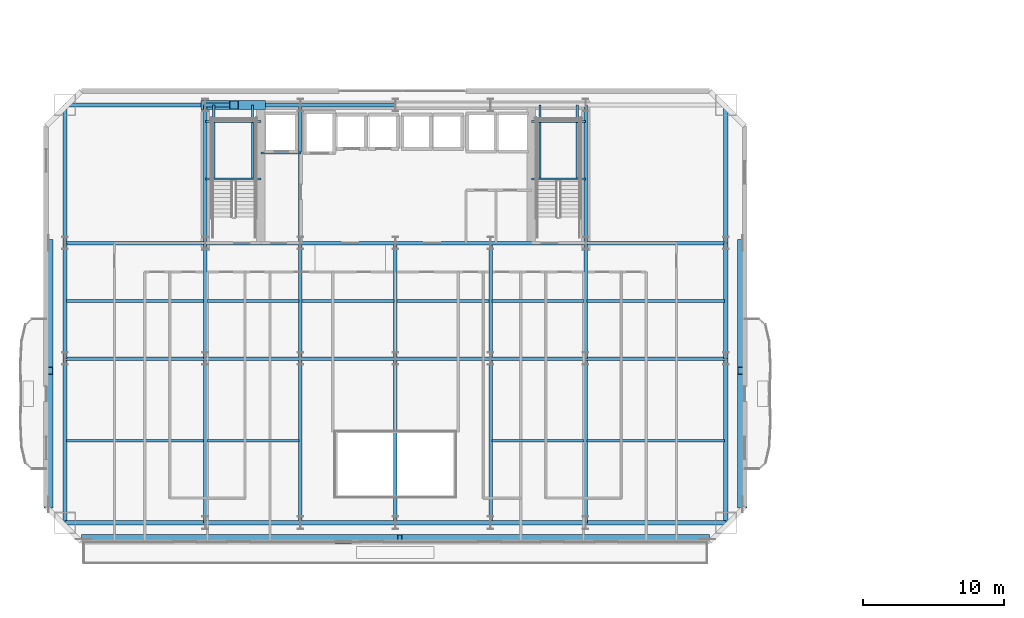
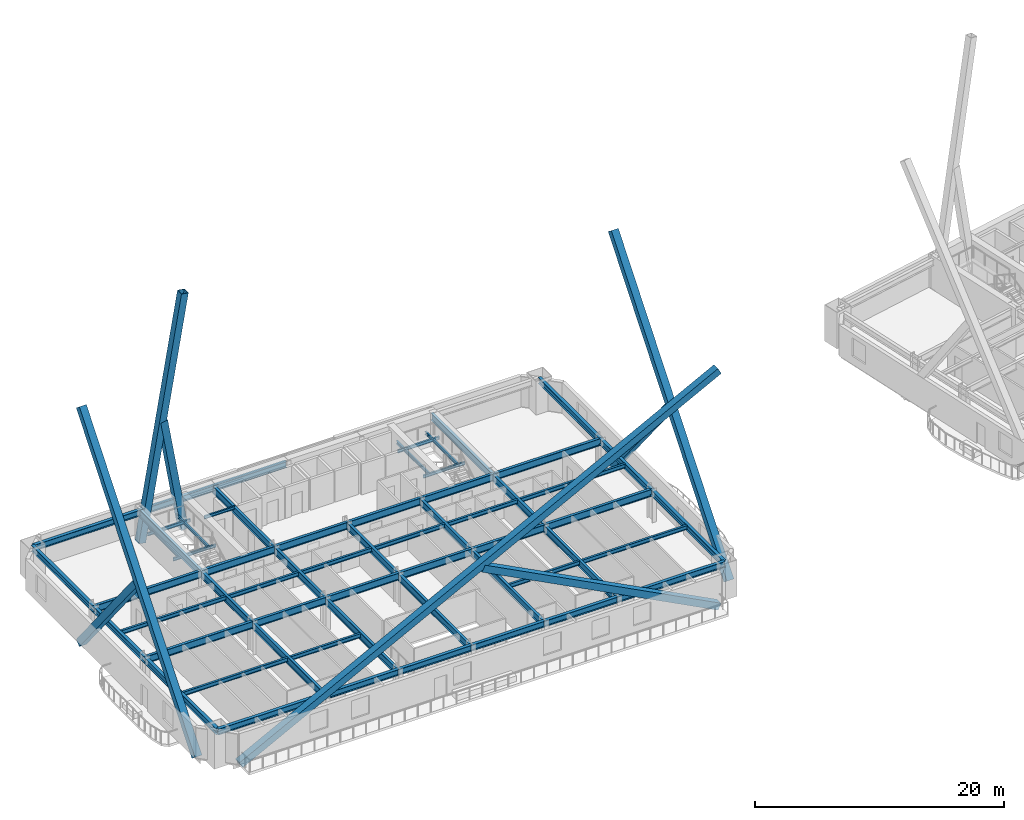
# One storey, part 3 of 22: 59 beams, 8 members.
"""IFC4 building model written with IfcOpenShell, lengths in metres."""

import ifcopenshell
import ifcopenshell.guid

model = None  # the IFC model being written
_history = None  # IfcOwnerHistory: only IFC2X3 demands one
_inside = {}  # id of a spatial element -> (the spatial element, [elements in it])
_under = {}  # id of a project, library or spatial element -> (it, [spatial elements below it])
_declared = {}  # id of a project -> (the project, [libraries it declares])
_typed = {}  # id of a type object -> (the type object, [elements of that type])
_made_of = {}  # id of a material, layer set ... -> (it, [elements and type objects made of it])


def new_model(schema):
    """Start an empty IFC model of exactly this schema.

    Asked for "IFC4X3", IfcOpenShell would pick the latest addendum, in which some entities
    have other attributes; the version numbers below select the first issue.
    IFC2X3 requires an IfcOwnerHistory on every rooted entity: one is made here for all.
    """
    global model, _history
    if schema == "IFC4X3":
        model = ifcopenshell.file(schema_version=(4, 3, 0, 0))
    else:
        model = ifcopenshell.file(schema=schema)
    _inside.clear()
    _under.clear()
    _declared.clear()
    _typed.clear()
    _made_of.clear()
    _history = None
    if model.schema == "IFC2X3":
        org = make("IfcOrganization", Name="unknown")
        user = make(
            "IfcPersonAndOrganization",
            ThePerson=make("IfcPerson", FamilyName="unknown"),
            TheOrganization=org,
        )
        app = make(
            "IfcApplication",
            ApplicationDeveloper=org,
            Version="unknown",
            ApplicationFullName="unknown",
            ApplicationIdentifier="unknown",
        )
        _history = make(
            "IfcOwnerHistory",
            OwningUser=user,
            OwningApplication=app,
            ChangeAction="ADDED",
            CreationDate=0,
        )
    return model


def make(cls, **values):
    """One entity of the class cls with the attributes given. An attribute that is None is left unset."""
    return model.create_entity(
        cls, **{name: value for name, value in values.items() if value is not None}
    )


def rooted(cls, **values):
    """An entity with a GlobalId (a new one), such as an element, a storey or a relation."""
    return make(cls, GlobalId=ifcopenshell.guid.new(), OwnerHistory=_history, **values)


def si_unit(unit_type, name, prefix=None):
    """IfcSIUnit, for example si_unit("LENGTHUNIT", "METRE", prefix="MILLI")."""
    return make("IfcSIUnit", UnitType=unit_type, Prefix=prefix, Name=name)


def assignment(units):
    """IfcUnitAssignment: the units of a project."""
    return None if units is None else make("IfcUnitAssignment", Units=units)


def point(xyz):
    """IfcCartesianPoint."""
    return None if xyz is None else make("IfcCartesianPoint", Coordinates=xyz)


def direction(xyz):
    """IfcDirection."""
    return None if xyz is None else make("IfcDirection", DirectionRatios=xyz)


def frame(location, z_axis=None, x_axis=None):
    """IfcAxis2Placement3D, a coordinate frame: its origin and axes. An axis left out is left unset."""
    return make(
        "IfcAxis2Placement3D",
        Location=point(location),
        Axis=direction(z_axis),
        RefDirection=direction(x_axis),
    )


def frame_2d(location, x_axis=None):
    """IfcAxis2Placement2D, a coordinate frame in the plane: its origin and x axis."""
    return make(
        "IfcAxis2Placement2D", Location=point(location), RefDirection=direction(x_axis)
    )


def origin():
    """The frame at (0, 0, 0) with its axes left unset."""
    return frame((0.0, 0.0, 0.0))


def origin_2d():
    """The frame at (0, 0) in the plane with its x axis left unset."""
    return frame_2d((0.0, 0.0))


def place(relative_to, where):
    """IfcLocalPlacement: puts the frame where relative to a parent placement (None: the world)."""
    return make(
        "IfcLocalPlacement", PlacementRelTo=relative_to, RelativePlacement=where
    )


def context(
    kind, dimensions, precision=None, world=None, true_north=None, identifier=None
):
    """IfcGeometricRepresentationContext, for example the 3D "Model" context."""
    return make(
        "IfcGeometricRepresentationContext",
        ContextIdentifier=identifier,
        ContextType=kind,
        CoordinateSpaceDimension=dimensions,
        Precision=precision,
        WorldCoordinateSystem=world,
        TrueNorth=true_north,
    )


def subcontext(parent, identifier, kind, view, scale=None):
    """IfcGeometricRepresentationSubContext, for example "Body" below "Model"."""
    return make(
        "IfcGeometricRepresentationSubContext",
        ContextIdentifier=identifier,
        ContextType=kind,
        ParentContext=parent,
        TargetScale=scale,
        TargetView=view,
    )


def project(units=None, contexts=None):
    """IfcProject with its units and contexts."""
    return rooted(
        "IfcProject",
        Name="project",
        RepresentationContexts=contexts,
        UnitsInContext=assignment(units),
    )


def spatial(cls, under=None, at=None, **own):
    """A site, building, storey or space (cls), placed at a placement, below another one or the project."""
    s = rooted(cls, ObjectPlacement=at, **own)
    if under is not None:
        _under.setdefault(under.id(), (under, []))[1].append(s)
    return s


def profile(cls, at=None, kind="AREA", **sizes):
    """A parametric profile (cls). Its sizes go by their IFC names, for example OverallWidth=200.0."""
    return make(cls, ProfileType=kind, Position=at, **sizes)


def hollow_rectangle(**sizes):
    """IfcRectangleHollowProfileDef."""
    return profile("IfcRectangleHollowProfileDef", **sizes)


def i_section(**sizes):
    """IfcIShapeProfileDef."""
    return profile("IfcIShapeProfileDef", **sizes)


def extrude(swept, where, along, depth):
    """IfcExtrudedAreaSolid: the profile swept, set in the frame where, extruded along a direction by depth."""
    return make(
        "IfcExtrudedAreaSolid",
        SweptArea=swept,
        Position=where,
        ExtrudedDirection=direction(along),
        Depth=depth,
    )


def shape(context_of_items, identifier, shape_type, items):
    """IfcShapeRepresentation: the items that make up one representation, for example the "Body"."""
    return make(
        "IfcShapeRepresentation",
        ContextOfItems=context_of_items,
        RepresentationIdentifier=identifier,
        RepresentationType=shape_type,
        Items=items,
    )


def material(Name=None, Category=None):
    """IfcMaterial."""
    return make("IfcMaterial", Name=Name, Category=Category)


def material_profile(
    of_material, cross_section, Name=None, Category=None, Priority=None
):
    """IfcMaterialProfile: a cross section and its material."""
    return make(
        "IfcMaterialProfile",
        Name=Name,
        Material=of_material,
        Profile=cross_section,
        Priority=Priority,
        Category=Category,
    )


def profile_set(profiles, Name=None, composite=None):
    """IfcMaterialProfileSet."""
    return make(
        "IfcMaterialProfileSet",
        Name=Name,
        MaterialProfiles=profiles,
        CompositeProfile=composite,
    )


def made_of(thing, what):
    """Note that an element or type object is made of a material, layer set ...; save() writes the relation."""
    if what is not None:
        _made_of.setdefault(what.id(), (what, []))[1].append(thing)
    return thing


def type_object(cls, material=None, **own):
    """A type object (cls), such as IfcWallType, which elements share."""
    return made_of(rooted(cls, **own), material)


def element(
    cls,
    number,
    at=None,
    inside=None,
    cuts=None,
    type_object=None,
    material=None,
    context=None,
    identifier="Body",
    shape_type=None,
    held_by="IfcProductDefinitionShape",
    body=None,
    shapes=None,
    **own,
):
    """One element of the class cls, such as IfcWall. Its Tag is "e" and its number.

    at: its placement. inside: the storey or other place that contains it. cuts: it is an
    opening in that element (IfcRelVoidsElement). A single representation is given by context,
    identifier, shape_type and body (its items); several are given by shapes. held_by: the class
    of the entity that holds the representations. save() writes the other relations.
    """
    e = rooted(cls, Tag="e%d" % number, ObjectPlacement=at, **own)
    if body is not None:
        shapes = [shape(context, identifier, shape_type, body)]
    if shapes is not None:
        e.Representation = make(held_by, Representations=shapes)
    if inside is not None:
        _inside.setdefault(inside.id(), (inside, []))[1].append(e)
    if cuts is not None:
        rooted(
            "IfcRelVoidsElement", RelatingBuildingElement=cuts, RelatedOpeningElement=e
        )
    if type_object is not None:
        _typed.setdefault(type_object.id(), (type_object, []))[1].append(e)
    return made_of(e, material)


def aggregate(whole, parts):
    """IfcRelAggregates: a whole, such as a stair, and the parts it consists of."""
    return rooted("IfcRelAggregates", RelatingObject=whole, RelatedObjects=parts)


def save(model, path):
    """Write the relations noted so far, then the file.

    IfcRelAggregates (storeys below a building ...), IfcRelContainedInSpatialStructure (elements
    in a storey), IfcRelDefinesByType, IfcRelAssociatesMaterial and IfcRelDeclares: one each for
    every whole, place, type object, material and project.
    """
    for whole, parts in _under.values():
        aggregate(whole, parts)
    for where, things in _inside.values():
        rooted(
            "IfcRelContainedInSpatialStructure",
            RelatedElements=things,
            RelatingStructure=where,
        )
    for kind, things in _typed.values():
        rooted("IfcRelDefinesByType", RelatedObjects=things, RelatingType=kind)
    for what, things in _made_of.values():
        rooted("IfcRelAssociatesMaterial", RelatedObjects=things, RelatingMaterial=what)
    for by, libraries in _declared.values():
        rooted("IfcRelDeclares", RelatingContext=by, RelatedDefinitions=libraries)
    model.write(path)


model = new_model("IFC4")

# Units and contexts
model_context = context("Model", 3, precision=1e-05, world=origin(), true_north=direction((0.0, 1.0)))
body_context = subcontext(model_context, "Body", "Model", "MODEL_VIEW")
ifc_project = project(units=[si_unit("LENGTHUNIT", "METRE"), si_unit("AREAUNIT", "SQUARE_METRE"), si_unit("VOLUMEUNIT", "CUBIC_METRE"), si_unit("PLANEANGLEUNIT", "RADIAN"), si_unit("MASSUNIT", "GRAM", prefix="KILO")], contexts=[model_context])

# Site, building, storey
site_placement = place(None, origin())
site = spatial("IfcSite", under=ifc_project, at=site_placement, CompositionType="ELEMENT")
building_placement = place(site_placement, origin())
building = spatial("IfcBuilding", under=site, at=building_placement, Name="Haevon Station Towers", CompositionType="ELEMENT")
storey_placement = place(building_placement, frame((0.0, 0.0, 70.199951171875)))
storey = spatial("IfcBuildingStorey", under=building, at=storey_placement, Name="L18", CompositionType="ELEMENT", Elevation=70.199951171875)

# Beams
ifc_material_1 = material(Name="Steel S355", Category="steel")
ifc_material_profile_1 = material_profile(ifc_material_1, i_section(OverallWidth=0.25, OverallDepth=0.699951171875, WebThickness=0.012939453125, FlangeThickness=0.02392578125, at=origin_2d()), Name="H-700x250x13x24")
ifc_profile_set_1 = profile_set([ifc_material_profile_1], Name="Steel S355")
beam_type_1 = type_object("IfcBeamType", Name="BM-G700", PredefinedType="BEAM", material=ifc_profile_set_1)
beam_1_placement = place(storey_placement, frame((14.050048828125, 30.0, 2.699951171875), z_axis=(1.0, 0.0, 0.0), x_axis=(0.0, 1.0, 0.0)))
element("IfcBeam", 1, at=beam_1_placement, inside=storey, type_object=beam_type_1, Name="BM-T1U-L18-02-01", PredefinedType="BEAM", context=body_context, shape_type="SweptSolid", body=[
    extrude(i_section(OverallWidth=0.25, OverallDepth=0.699951171875, WebThickness=0.012939453125, FlangeThickness=0.02392578125, at=origin_2d()), origin(), (0.0, 0.0, 1.0), 9.949951171875),
])
for number, where, z_axis, x_axis, name in (
    (2, (24.0, 30.0, 2.699951171875), (1.0, 0.0, 0.0), (0.0, 1.0, 0.0), "BM-T1U-L18-02-02"),
    (3, (30.75, 30.0, 2.699951171875), (1.0, 0.0, 0.0), (0.0, 1.0, 0.0), "BM-T1U-L18-02-03"),
    (4, (37.5, 30.0, 2.699951171875), (1.0, 0.0, 0.0), (0.0, 1.0, 0.0), "BM-T1U-L18-02-04"),
    (5, (44.25, 30.0, 2.699951171875), (1.0, 0.0, 0.0), (0.0, 1.0, 0.0), "BM-T1U-L18-02-05"),
):
    element("IfcBeam", number, at=place(storey_placement, frame(where, z_axis=z_axis, x_axis=x_axis)), inside=storey, type_object=beam_type_1, Name=name, PredefinedType="BEAM", context=body_context, shape_type="SweptSolid", body=[
        extrude(i_section(OverallWidth=0.25, OverallDepth=0.699951171875, WebThickness=0.012939453125, FlangeThickness=0.02392578125, at=origin_2d()), origin(), (0.0, 0.0, 1.0), 6.75),
    ])
for number, where, z_axis, x_axis, name in (
    (6, (51.0, 30.0, 2.699951171875), (1.0, 0.0, 0.0), (0.0, 1.0, 0.0), "BM-T1U-L18-02-06"),
    (7, (14.050048828125, 38.199951171875, 2.699951171875), (1.0, 0.0, 0.0), (0.0, 1.0, 0.0), "BM-T1U-L18-03-01"),
):
    element("IfcBeam", number, at=place(storey_placement, frame(where, z_axis=z_axis, x_axis=x_axis)), inside=storey, type_object=beam_type_1, Name=name, PredefinedType="BEAM", context=body_context, shape_type="SweptSolid", body=[
        extrude(i_section(OverallWidth=0.25, OverallDepth=0.699951171875, WebThickness=0.012939453125, FlangeThickness=0.02392578125, at=origin_2d()), origin(), (0.0, 0.0, 1.0), 9.949951171875),
    ])
for number, where, z_axis, x_axis, name in (
    (8, (24.0, 38.199951171875, 2.699951171875), (1.0, 0.0, 0.0), (0.0, 1.0, 0.0), "BM-T1U-L18-03-02"),
    (9, (30.75, 38.199951171875, 2.699951171875), (1.0, 0.0, 0.0), (0.0, 1.0, 0.0), "BM-T1U-L18-03-03"),
    (10, (37.5, 38.199951171875, 2.699951171875), (1.0, 0.0, 0.0), (0.0, 1.0, 0.0), "BM-T1U-L18-03-04"),
    (11, (44.25, 38.199951171875, 2.699951171875), (1.0, 0.0, 0.0), (0.0, 1.0, 0.0), "BM-T1U-L18-03-05"),
):
    element("IfcBeam", number, at=place(storey_placement, frame(where, z_axis=z_axis, x_axis=x_axis)), inside=storey, type_object=beam_type_1, Name=name, PredefinedType="BEAM", context=body_context, shape_type="SweptSolid", body=[
        extrude(i_section(OverallWidth=0.25, OverallDepth=0.699951171875, WebThickness=0.012939453125, FlangeThickness=0.02392578125, at=origin_2d()), origin(), (0.0, 0.0, 1.0), 6.75),
    ])
beam_2_placement = place(storey_placement, frame((51.0, 38.199951171875, 2.699951171875), z_axis=(1.0, 0.0, 0.0), x_axis=(0.0, 1.0, 0.0)))
element("IfcBeam", 12, at=beam_2_placement, inside=storey, type_object=beam_type_1, Name="BM-T1U-L18-03-06", PredefinedType="BEAM", context=body_context, shape_type="SweptSolid", body=[
    extrude(i_section(OverallWidth=0.25, OverallDepth=0.699951171875, WebThickness=0.012939453125, FlangeThickness=0.02392578125, at=origin_2d()), origin(), (0.0, 0.0, 1.0), 9.949951171875),
])
beam_3_placement = place(storey_placement, frame((24.0, 18.35009765625, 2.699951171875), z_axis=(0.0, 1.0, 0.0), x_axis=(-1.0, 0.0, 0.0)))
element("IfcBeam", 13, at=beam_3_placement, inside=storey, type_object=beam_type_1, Name="BM-T1V-L18-02-01", PredefinedType="BEAM", context=body_context, shape_type="SweptSolid", body=[
    extrude(i_section(OverallWidth=0.25, OverallDepth=0.699951171875, WebThickness=0.012939453125, FlangeThickness=0.02392578125, at=origin_2d()), origin(), (0.0, 0.0, 1.0), 11.64990234375),
])
beam_4_placement = place(storey_placement, frame((24.0, 30.0, 2.699951171875), z_axis=(0.0, 1.0, 0.0), x_axis=(-1.0, 0.0, 0.0)))
element("IfcBeam", 14, at=beam_4_placement, inside=storey, type_object=beam_type_1, Name="BM-T1V-L18-02-02", PredefinedType="BEAM", context=body_context, shape_type="SweptSolid", body=[
    extrude(i_section(OverallWidth=0.25, OverallDepth=0.699951171875, WebThickness=0.012939453125, FlangeThickness=0.02392578125, at=origin_2d()), origin(), (0.0, 0.0, 1.0), 8.199951171875),
])
beam_5_placement = place(storey_placement, frame((24.0, 38.199951171875, 2.699951171875), z_axis=(0.0, 1.0, 0.0), x_axis=(-1.0, 0.0, 0.0)))
element("IfcBeam", 15, at=beam_5_placement, inside=storey, type_object=beam_type_1, Name="BM-T1V-L18-02-03", PredefinedType="BEAM", context=body_context, shape_type="SweptSolid", body=[
    extrude(i_section(OverallWidth=0.25, OverallDepth=0.699951171875, WebThickness=0.012939453125, FlangeThickness=0.02392578125, at=origin_2d()), origin(), (0.0, 0.0, 1.0), 9.800048828125),
])
beam_6_placement = place(storey_placement, frame((30.75, 18.35009765625, 2.699951171875), z_axis=(0.0, 1.0, 0.0), x_axis=(-1.0, 0.0, 0.0)))
element("IfcBeam", 16, at=beam_6_placement, inside=storey, type_object=beam_type_1, Name="BM-T1V-L18-03-01", PredefinedType="BEAM", context=body_context, shape_type="SweptSolid", body=[
    extrude(i_section(OverallWidth=0.25, OverallDepth=0.699951171875, WebThickness=0.012939453125, FlangeThickness=0.02392578125, at=origin_2d()), origin(), (0.0, 0.0, 1.0), 11.64990234375),
])
beam_7_placement = place(storey_placement, frame((30.75, 30.0, 2.699951171875), z_axis=(0.0, 1.0, 0.0), x_axis=(-1.0, 0.0, 0.0)))
element("IfcBeam", 17, at=beam_7_placement, inside=storey, type_object=beam_type_1, Name="BM-T1V-L18-03-02", PredefinedType="BEAM", context=body_context, shape_type="SweptSolid", body=[
    extrude(i_section(OverallWidth=0.25, OverallDepth=0.699951171875, WebThickness=0.012939453125, FlangeThickness=0.02392578125, at=origin_2d()), origin(), (0.0, 0.0, 1.0), 8.199951171875),
])
beam_8_placement = place(storey_placement, frame((30.75, 38.199951171875, 2.699951171875), z_axis=(0.0, 1.0, 0.0), x_axis=(-1.0, 0.0, 0.0)))
element("IfcBeam", 18, at=beam_8_placement, inside=storey, type_object=beam_type_1, Name="BM-T1V-L18-03-03", PredefinedType="BEAM", context=body_context, shape_type="SweptSolid", body=[
    extrude(i_section(OverallWidth=0.25, OverallDepth=0.699951171875, WebThickness=0.012939453125, FlangeThickness=0.02392578125, at=origin_2d()), origin(), (0.0, 0.0, 1.0), 9.800048828125),
])
beam_9_placement = place(storey_placement, frame((37.5, 18.35009765625, 2.699951171875), z_axis=(0.0, 1.0, 0.0), x_axis=(-1.0, 0.0, 0.0)))
element("IfcBeam", 19, at=beam_9_placement, inside=storey, type_object=beam_type_1, Name="BM-T1V-L18-04-01", PredefinedType="BEAM", context=body_context, shape_type="SweptSolid", body=[
    extrude(i_section(OverallWidth=0.25, OverallDepth=0.699951171875, WebThickness=0.012939453125, FlangeThickness=0.02392578125, at=origin_2d()), origin(), (0.0, 0.0, 1.0), 11.64990234375),
])
beam_10_placement = place(storey_placement, frame((37.5, 30.0, 2.699951171875), z_axis=(0.0, 1.0, 0.0), x_axis=(-1.0, 0.0, 0.0)))
element("IfcBeam", 20, at=beam_10_placement, inside=storey, type_object=beam_type_1, Name="BM-T1V-L18-04-02", PredefinedType="BEAM", context=body_context, shape_type="SweptSolid", body=[
    extrude(i_section(OverallWidth=0.25, OverallDepth=0.699951171875, WebThickness=0.012939453125, FlangeThickness=0.02392578125, at=origin_2d()), origin(), (0.0, 0.0, 1.0), 8.199951171875),
])
beam_11_placement = place(storey_placement, frame((44.25, 18.35009765625, 2.699951171875), z_axis=(0.0, 1.0, 0.0), x_axis=(-1.0, 0.0, 0.0)))
element("IfcBeam", 21, at=beam_11_placement, inside=storey, type_object=beam_type_1, Name="BM-T1V-L18-05-01", PredefinedType="BEAM", context=body_context, shape_type="SweptSolid", body=[
    extrude(i_section(OverallWidth=0.25, OverallDepth=0.699951171875, WebThickness=0.012939453125, FlangeThickness=0.02392578125, at=origin_2d()), origin(), (0.0, 0.0, 1.0), 11.64990234375),
])
beam_12_placement = place(storey_placement, frame((44.25, 30.0, 2.699951171875), z_axis=(0.0, 1.0, 0.0), x_axis=(-1.0, 0.0, 0.0)))
element("IfcBeam", 22, at=beam_12_placement, inside=storey, type_object=beam_type_1, Name="BM-T1V-L18-05-02", PredefinedType="BEAM", context=body_context, shape_type="SweptSolid", body=[
    extrude(i_section(OverallWidth=0.25, OverallDepth=0.699951171875, WebThickness=0.012939453125, FlangeThickness=0.02392578125, at=origin_2d()), origin(), (0.0, 0.0, 1.0), 8.199951171875),
])
beam_13_placement = place(storey_placement, frame((51.0, 18.35009765625, 2.699951171875), z_axis=(0.0, 1.0, 0.0), x_axis=(-1.0, 0.0, 0.0)))
element("IfcBeam", 23, at=beam_13_placement, inside=storey, type_object=beam_type_1, Name="BM-T1V-L18-06-01", PredefinedType="BEAM", context=body_context, shape_type="SweptSolid", body=[
    extrude(i_section(OverallWidth=0.25, OverallDepth=0.699951171875, WebThickness=0.012939453125, FlangeThickness=0.02392578125, at=origin_2d()), origin(), (0.0, 0.0, 1.0), 11.64990234375),
])
beam_14_placement = place(storey_placement, frame((51.0, 30.0, 2.699951171875), z_axis=(0.0, 1.0, 0.0), x_axis=(-1.0, 0.0, 0.0)))
element("IfcBeam", 24, at=beam_14_placement, inside=storey, type_object=beam_type_1, Name="BM-T1V-L18-06-02", PredefinedType="BEAM", context=body_context, shape_type="SweptSolid", body=[
    extrude(i_section(OverallWidth=0.25, OverallDepth=0.699951171875, WebThickness=0.012939453125, FlangeThickness=0.02392578125, at=origin_2d()), origin(), (0.0, 0.0, 1.0), 8.199951171875),
])
beam_15_placement = place(storey_placement, frame((51.0, 38.199951171875, 2.699951171875), z_axis=(0.0, 1.0, 0.0), x_axis=(-1.0, 0.0, 0.0)))
element("IfcBeam", 25, at=beam_15_placement, inside=storey, type_object=beam_type_1, Name="BM-T1V-L18-06-03", PredefinedType="BEAM", context=body_context, shape_type="SweptSolid", body=[
    extrude(i_section(OverallWidth=0.25, OverallDepth=0.699951171875, WebThickness=0.012939453125, FlangeThickness=0.02392578125, at=origin_2d()), origin(), (0.0, 0.0, 1.0), 9.800048828125),
])
ifc_material_profile_2 = material_profile(ifc_material_1, i_section(OverallWidth=0.199951171875, OverallDepth=0.39990234375, WebThickness=0.008056640625, FlangeThickness=0.012939453125, at=origin_2d()), Name="H-400x200x8x13")
ifc_profile_set_2 = profile_set([ifc_material_profile_2], Name="Steel S355")
beam_type_2 = type_object("IfcBeamType", Name="BM-J400", PredefinedType="JOIST", material=ifc_profile_set_2)
beam_16_placement = place(storey_placement, frame((14.159912109375, 24.175048828125, 2.85009765625), z_axis=(1.0, 0.0, 0.0), x_axis=(0.0, 1.0, 0.0)))
element("IfcBeam", 26, at=beam_16_placement, inside=storey, type_object=beam_type_2, Name="BM-T1J-L18-01-01", PredefinedType="JOIST", context=body_context, shape_type="SweptSolid", body=[
    extrude(i_section(OverallWidth=0.199951171875, OverallDepth=0.39990234375, WebThickness=0.008056640625, FlangeThickness=0.012939453125, at=origin_2d()), origin(), (0.0, 0.0, 1.0), 9.72998046875),
])
for number, where, z_axis, x_axis, name in (
    (27, (24.110107421875, 24.175048828125, 2.85009765625), (1.0, 0.0, 0.0), (0.0, 1.0, 0.0), "BM-T1J-L18-01-02"),
    (28, (44.360107421875, 24.175048828125, 2.85009765625), (1.0, 0.0, 0.0), (0.0, 1.0, 0.0), "BM-T1J-L18-01-05"),
):
    element("IfcBeam", number, at=place(storey_placement, frame(where, z_axis=z_axis, x_axis=x_axis)), inside=storey, type_object=beam_type_2, Name=name, PredefinedType="JOIST", context=body_context, shape_type="SweptSolid", body=[
        extrude(i_section(OverallWidth=0.199951171875, OverallDepth=0.39990234375, WebThickness=0.008056640625, FlangeThickness=0.012939453125, at=origin_2d()), origin(), (0.0, 0.0, 1.0), 6.52978515625),
    ])
for number, where, z_axis, x_axis, name in (
    (29, (51.110107421875, 24.175048828125, 2.85009765625), (1.0, 0.0, 0.0), (0.0, 1.0, 0.0), "BM-T1J-L18-01-06"),
    (30, (14.159912109375, 34.10009765625, 2.85009765625), (1.0, 0.0, 0.0), (0.0, 1.0, 0.0), "BM-T1J-L18-02-01"),
):
    element("IfcBeam", number, at=place(storey_placement, frame(where, z_axis=z_axis, x_axis=x_axis)), inside=storey, type_object=beam_type_2, Name=name, PredefinedType="JOIST", context=body_context, shape_type="SweptSolid", body=[
        extrude(i_section(OverallWidth=0.199951171875, OverallDepth=0.39990234375, WebThickness=0.008056640625, FlangeThickness=0.012939453125, at=origin_2d()), origin(), (0.0, 0.0, 1.0), 9.72998046875),
    ])
for number, where, z_axis, x_axis, name in (
    (31, (24.110107421875, 34.10009765625, 2.85009765625), (1.0, 0.0, 0.0), (0.0, 1.0, 0.0), "BM-T1J-L18-02-02"),
    (32, (30.860107421875, 34.10009765625, 2.85009765625), (1.0, 0.0, 0.0), (0.0, 1.0, 0.0), "BM-T1J-L18-02-03"),
    (33, (37.610107421875, 34.10009765625, 2.85009765625), (1.0, 0.0, 0.0), (0.0, 1.0, 0.0), "BM-T1J-L18-02-04"),
    (34, (44.360107421875, 34.10009765625, 2.85009765625), (1.0, 0.0, 0.0), (0.0, 1.0, 0.0), "BM-T1J-L18-02-05"),
):
    element("IfcBeam", number, at=place(storey_placement, frame(where, z_axis=z_axis, x_axis=x_axis)), inside=storey, type_object=beam_type_2, Name=name, PredefinedType="JOIST", context=body_context, shape_type="SweptSolid", body=[
        extrude(i_section(OverallWidth=0.199951171875, OverallDepth=0.39990234375, WebThickness=0.008056640625, FlangeThickness=0.012939453125, at=origin_2d()), origin(), (0.0, 0.0, 1.0), 6.52978515625),
    ])
beam_17_placement = place(storey_placement, frame((51.110107421875, 34.10009765625, 2.85009765625), z_axis=(1.0, 0.0, 0.0), x_axis=(0.0, 1.0, 0.0)))
element("IfcBeam", 35, at=beam_17_placement, inside=storey, type_object=beam_type_2, Name="BM-T1J-L18-02-06", PredefinedType="JOIST", context=body_context, shape_type="SweptSolid", body=[
    extrude(i_section(OverallWidth=0.199951171875, OverallDepth=0.39990234375, WebThickness=0.008056640625, FlangeThickness=0.012939453125, at=origin_2d()), origin(), (0.0, 0.0, 1.0), 9.72998046875),
])
ifc_material_profile_3 = material_profile(ifc_material_1, i_section(OverallWidth=0.14990234375, OverallDepth=0.300048828125, WebThickness=0.006591796875, FlangeThickness=0.009033203125, at=origin_2d()), Name="H-300x150x6.5x9")
ifc_profile_set_3 = profile_set([ifc_material_profile_3], Name="Steel S355")
beam_type_3 = type_object("IfcBeamType", Name="BM-LIN300", PredefinedType="LINTEL", material=ifc_profile_set_3)
for number, where, z_axis, x_axis, name in (
    (36, (24.0, 42.743896484375, 1.300048828125), (1.0, 0.0, 0.0), (0.0, 1.0, 0.0), "BM-ST1L-L18-1-S"),
    (37, (24.0, 46.820068359375, 1.300048828125), (1.0, 0.0, 0.0), (0.0, 1.0, 0.0), "BM-ST1L-L18-1-N"),
):
    element("IfcBeam", number, at=place(storey_placement, frame(where, z_axis=z_axis, x_axis=x_axis)), inside=storey, type_object=beam_type_3, Name=name, PredefinedType="LINTEL", context=body_context, shape_type="SweptSolid", body=[
        extrude(i_section(OverallWidth=0.14990234375, OverallDepth=0.300048828125, WebThickness=0.006591796875, FlangeThickness=0.009033203125, at=origin_2d()), origin(), (0.0, 0.0, 1.0), 3.949951171875),
    ])
for number, where, z_axis, x_axis, name in (
    (38, (24.60009765625, 42.743896484375, 1.300048828125), (0.0, 1.0, 0.0), (-1.0, 0.0, 0.0), "BM-ST1L-L18-1-W"),
    (39, (27.35009765625, 42.743896484375, 1.300048828125), (0.0, 1.0, 0.0), (-1.0, 0.0, 0.0), "BM-ST1L-L18-1-E"),
):
    element("IfcBeam", number, at=place(storey_placement, frame(where, z_axis=z_axis, x_axis=x_axis)), inside=storey, type_object=beam_type_3, Name=name, PredefinedType="LINTEL", context=body_context, shape_type="SweptSolid", body=[
        extrude(i_section(OverallWidth=0.14990234375, OverallDepth=0.300048828125, WebThickness=0.006591796875, FlangeThickness=0.009033203125, at=origin_2d()), origin(), (0.0, 0.0, 1.0), 5.256103515625),
    ])
for number, where, z_axis, x_axis, name in (
    (40, (47.14990234375, 42.743896484375, 1.300048828125), (1.0, 0.0, 0.0), (0.0, 1.0, 0.0), "BM-ST2L-L18-1-S"),
    (41, (47.14990234375, 46.820068359375, 1.300048828125), (1.0, 0.0, 0.0), (0.0, 1.0, 0.0), "BM-ST2L-L18-1-N"),
):
    element("IfcBeam", number, at=place(storey_placement, frame(where, z_axis=z_axis, x_axis=x_axis)), inside=storey, type_object=beam_type_3, Name=name, PredefinedType="LINTEL", context=body_context, shape_type="SweptSolid", body=[
        extrude(i_section(OverallWidth=0.14990234375, OverallDepth=0.300048828125, WebThickness=0.006591796875, FlangeThickness=0.009033203125, at=origin_2d()), origin(), (0.0, 0.0, 1.0), 3.85009765625),
    ])
for number, where, z_axis, x_axis, name in (
    (42, (47.75, 42.743896484375, 1.300048828125), (0.0, 1.0, 0.0), (-1.0, 0.0, 0.0), "BM-ST2L-L18-1-W"),
    (43, (50.39990234375, 42.743896484375, 1.300048828125), (0.0, 1.0, 0.0), (-1.0, 0.0, 0.0), "BM-ST2L-L18-1-E"),
):
    element("IfcBeam", number, at=place(storey_placement, frame(where, z_axis=z_axis, x_axis=x_axis)), inside=storey, type_object=beam_type_3, Name=name, PredefinedType="LINTEL", context=body_context, shape_type="SweptSolid", body=[
        extrude(i_section(OverallWidth=0.14990234375, OverallDepth=0.300048828125, WebThickness=0.006591796875, FlangeThickness=0.009033203125, at=origin_2d()), origin(), (0.0, 0.0, 1.0), 5.256103515625),
    ])
beam_18_placement = place(storey_placement, frame((27.949951171875, 44.60009765625, 2.900146484375), z_axis=(1.0, 0.0, 0.0), x_axis=(0.0, 1.0, 0.0)))
element("IfcBeam", 44, at=beam_18_placement, inside=storey, type_object=beam_type_3, Name="BM-T1LIN-L18", PredefinedType="LINTEL", context=body_context, shape_type="SweptSolid", body=[
    extrude(i_section(OverallWidth=0.14990234375, OverallDepth=0.300048828125, WebThickness=0.006591796875, FlangeThickness=0.009033203125, at=origin_2d()), origin(), (0.0, 0.0, 1.0), 2.85009765625),
])
ifc_material_profile_4 = material_profile(ifc_material_1, i_section(OverallWidth=0.300048828125, OverallDepth=0.587890625, WebThickness=0.011962890625, FlangeThickness=0.02001953125, at=origin_2d()), Name="H-588x300x12x20")
ifc_profile_set_4 = profile_set([ifc_material_profile_4], Name="Steel S355")
beam_type_4 = type_object("IfcBeamType", Name="BM-SP588", PredefinedType="SPANDREL", material=ifc_profile_set_4)
beam_19_placement = place(storey_placement, frame((14.050048828125, 18.35009765625, 2.756103515625), z_axis=(1.0, 0.0, 0.0), x_axis=(0.0, 1.0, 0.0)))
element("IfcBeam", 45, at=beam_19_placement, inside=storey, type_object=beam_type_4, Name="BM-T1U-L18-01-01", PredefinedType="SPANDREL", context=body_context, shape_type="SweptSolid", body=[
    extrude(i_section(OverallWidth=0.300048828125, OverallDepth=0.587890625, WebThickness=0.011962890625, FlangeThickness=0.02001953125, at=origin_2d()), origin(), (0.0, 0.0, 1.0), 9.949951171875),
])
for number, where, z_axis, x_axis, name in (
    (46, (24.0, 18.35009765625, 2.756103515625), (1.0, 0.0, 0.0), (0.0, 1.0, 0.0), "BM-T1U-L18-01-02"),
    (47, (30.75, 18.35009765625, 2.756103515625), (1.0, 0.0, 0.0), (0.0, 1.0, 0.0), "BM-T1U-L18-01-03"),
    (48, (37.5, 18.35009765625, 2.756103515625), (1.0, 0.0, 0.0), (0.0, 1.0, 0.0), "BM-T1U-L18-01-04"),
    (49, (44.25, 18.35009765625, 2.756103515625), (1.0, 0.0, 0.0), (0.0, 1.0, 0.0), "BM-T1U-L18-01-05"),
):
    element("IfcBeam", number, at=place(storey_placement, frame(where, z_axis=z_axis, x_axis=x_axis)), inside=storey, type_object=beam_type_4, Name=name, PredefinedType="SPANDREL", context=body_context, shape_type="SweptSolid", body=[
        extrude(i_section(OverallWidth=0.300048828125, OverallDepth=0.587890625, WebThickness=0.011962890625, FlangeThickness=0.02001953125, at=origin_2d()), origin(), (0.0, 0.0, 1.0), 6.75),
    ])
for number, where, z_axis, x_axis, name in (
    (50, (51.0, 18.35009765625, 2.756103515625), (1.0, 0.0, 0.0), (0.0, 1.0, 0.0), "BM-T1U-L18-01-06"),
    (51, (14.050048828125, 48.0, 2.756103515625), (1.0, 0.0, 0.0), (0.0, 1.0, 0.0), "BM-T1U-L18-04-01"),
):
    element("IfcBeam", number, at=place(storey_placement, frame(where, z_axis=z_axis, x_axis=x_axis)), inside=storey, type_object=beam_type_4, Name=name, PredefinedType="SPANDREL", context=body_context, shape_type="SweptSolid", body=[
        extrude(i_section(OverallWidth=0.300048828125, OverallDepth=0.587890625, WebThickness=0.011962890625, FlangeThickness=0.02001953125, at=origin_2d()), origin(), (0.0, 0.0, 1.0), 9.949951171875),
    ])
for number, where, z_axis, x_axis, name in (
    (52, (24.0, 48.0, 2.756103515625), (1.0, 0.0, 0.0), (0.0, 1.0, 0.0), "BM-T1U-L18-04-02"),
    (53, (30.75, 48.0, 2.756103515625), (1.0, 0.0, 0.0), (0.0, 1.0, 0.0), "BM-T1U-L18-04-03"),
):
    element("IfcBeam", number, at=place(storey_placement, frame(where, z_axis=z_axis, x_axis=x_axis)), inside=storey, type_object=beam_type_4, Name=name, PredefinedType="SPANDREL", context=body_context, shape_type="SweptSolid", body=[
        extrude(i_section(OverallWidth=0.300048828125, OverallDepth=0.587890625, WebThickness=0.011962890625, FlangeThickness=0.02001953125, at=origin_2d()), origin(), (0.0, 0.0, 1.0), 6.75),
    ])
beam_20_placement = place(storey_placement, frame((14.050048828125, 18.35009765625, 2.756103515625), z_axis=(0.0, 1.0, 0.0), x_axis=(-1.0, 0.0, 0.0)))
element("IfcBeam", 54, at=beam_20_placement, inside=storey, type_object=beam_type_4, Name="BM-T1V-L18-01-01", PredefinedType="SPANDREL", context=body_context, shape_type="SweptSolid", body=[
    extrude(i_section(OverallWidth=0.300048828125, OverallDepth=0.587890625, WebThickness=0.011962890625, FlangeThickness=0.02001953125, at=origin_2d()), origin(), (0.0, 0.0, 1.0), 11.64990234375),
])
beam_21_placement = place(storey_placement, frame((14.050048828125, 30.0, 2.756103515625), z_axis=(0.0, 1.0, 0.0), x_axis=(-1.0, 0.0, 0.0)))
element("IfcBeam", 55, at=beam_21_placement, inside=storey, type_object=beam_type_4, Name="BM-T1V-L18-01-02", PredefinedType="SPANDREL", context=body_context, shape_type="SweptSolid", body=[
    extrude(i_section(OverallWidth=0.300048828125, OverallDepth=0.587890625, WebThickness=0.011962890625, FlangeThickness=0.02001953125, at=origin_2d()), origin(), (0.0, 0.0, 1.0), 8.199951171875),
])
beam_22_placement = place(storey_placement, frame((14.050048828125, 38.199951171875, 2.756103515625), z_axis=(0.0, 1.0, 0.0), x_axis=(-1.0, 0.0, 0.0)))
element("IfcBeam", 56, at=beam_22_placement, inside=storey, type_object=beam_type_4, Name="BM-T1V-L18-01-03", PredefinedType="SPANDREL", context=body_context, shape_type="SweptSolid", body=[
    extrude(i_section(OverallWidth=0.300048828125, OverallDepth=0.587890625, WebThickness=0.011962890625, FlangeThickness=0.02001953125, at=origin_2d()), origin(), (0.0, 0.0, 1.0), 9.800048828125),
])
beam_23_placement = place(storey_placement, frame((60.949951171875, 18.35009765625, 2.756103515625), z_axis=(0.0, 1.0, 0.0), x_axis=(-1.0, 0.0, 0.0)))
element("IfcBeam", 57, at=beam_23_placement, inside=storey, type_object=beam_type_4, Name="BM-T1V-L18-07-01", PredefinedType="SPANDREL", context=body_context, shape_type="SweptSolid", body=[
    extrude(i_section(OverallWidth=0.300048828125, OverallDepth=0.587890625, WebThickness=0.011962890625, FlangeThickness=0.02001953125, at=origin_2d()), origin(), (0.0, 0.0, 1.0), 11.64990234375),
])
beam_24_placement = place(storey_placement, frame((60.949951171875, 30.0, 2.756103515625), z_axis=(0.0, 1.0, 0.0), x_axis=(-1.0, 0.0, 0.0)))
element("IfcBeam", 58, at=beam_24_placement, inside=storey, type_object=beam_type_4, Name="BM-T1V-L18-07-02", PredefinedType="SPANDREL", context=body_context, shape_type="SweptSolid", body=[
    extrude(i_section(OverallWidth=0.300048828125, OverallDepth=0.587890625, WebThickness=0.011962890625, FlangeThickness=0.02001953125, at=origin_2d()), origin(), (0.0, 0.0, 1.0), 8.199951171875),
])
beam_25_placement = place(storey_placement, frame((60.949951171875, 38.199951171875, 2.756103515625), z_axis=(0.0, 1.0, 0.0), x_axis=(-1.0, 0.0, 0.0)))
element("IfcBeam", 59, at=beam_25_placement, inside=storey, type_object=beam_type_4, Name="BM-T1V-L18-07-03", PredefinedType="SPANDREL", context=body_context, shape_type="SweptSolid", body=[
    extrude(i_section(OverallWidth=0.300048828125, OverallDepth=0.587890625, WebThickness=0.011962890625, FlangeThickness=0.02001953125, at=origin_2d()), origin(), (0.0, 0.0, 1.0), 9.800048828125),
])

# Members
ifc_material_2 = material(Name="Steel S460", Category="steel")
ifc_material_profile_5 = material_profile(ifc_material_2, hollow_rectangle(XDim=0.64990234375, YDim=0.64990234375, WallThickness=0.031982421875, at=origin_2d()), Name="RHS-650x650x32")
ifc_profile_set_5 = profile_set([ifc_material_profile_5], Name="Steel S460")
member_type = type_object("IfcMemberType", Name="MB-650", PredefinedType="BRACE", material=ifc_profile_set_5)
member_1_placement = place(storey_placement, frame((15.35009765625, 17.179931640625, -0.119873046875), z_axis=(0.886938614736, 0.0, 0.461887317091), x_axis=(0.0, 1.0, 0.0)))
element("IfcMember", 60, at=member_1_placement, inside=storey, type_object=member_type, Name="BR-T1MB-T02-S-D1", PredefinedType="BRACE", context=body_context, shape_type="SweptSolid", body=[
    extrude(hollow_rectangle(XDim=0.64990234375, YDim=0.64990234375, WallThickness=0.031982421875, at=origin_2d()), origin(), (0.0, 0.0, 1.0), 49.94677734375),
])
member_2_placement = place(storey_placement, frame((59.64990234375, 17.179931640625, -0.119873046875), z_axis=(-0.886940980029, 0.0, 0.461882775113), x_axis=(0.0, -1.0, 0.0)))
element("IfcMember", 61, at=member_2_placement, inside=storey, type_object=member_type, Name="BR-T1MB-T02-S-D2A", PredefinedType="BRACE", context=body_context, shape_type="SweptSolid", body=[
    extrude(hollow_rectangle(XDim=0.64990234375, YDim=0.64990234375, WallThickness=0.031982421875, at=origin_2d()), origin(), (0.0, 0.0, 1.0), 24.636474609375),
])
member_3_placement = place(storey_placement, frame((24.0, 48.0, -0.119873046875), z_axis=(0.168761438965, 0.0, 0.98565692648), x_axis=(0.0, 1.0, 0.0)))
element("IfcMember", 62, at=member_3_placement, inside=storey, type_object=member_type, Name="BR-T1MB-T02-N-D1", PredefinedType="BRACE", context=body_context, shape_type="SweptSolid", body=[
    extrude(hollow_rectangle(XDim=0.64990234375, YDim=0.64990234375, WallThickness=0.031982421875, at=origin_2d()), origin(), (0.0, 0.0, 1.0), 23.405517578125),
])
member_4_placement = place(storey_placement, frame((27.949951171875, 48.0, -0.119873046875), z_axis=(-0.168751560421, 0.0, 0.985658617806), x_axis=(0.0, -1.0, 0.0)))
element("IfcMember", 63, at=member_4_placement, inside=storey, type_object=member_type, Name="BR-T1MB-T02-N-D2A", PredefinedType="BRACE", context=body_context, shape_type="SweptSolid", body=[
    extrude(hollow_rectangle(XDim=0.64990234375, YDim=0.64990234375, WallThickness=0.031982421875, at=origin_2d()), origin(), (0.0, 0.0, 1.0), 11.36572265625),
])
member_5_placement = place(storey_placement, frame((12.8798828125, 19.64990234375, -0.119873046875), z_axis=(0.0, 0.626633231384, 0.779314309714), x_axis=(-1.0, 0.0, 0.0)))
element("IfcMember", 64, at=member_5_placement, inside=storey, type_object=member_type, Name="BR-T1MB-T02-W-D1", PredefinedType="BRACE", context=body_context, shape_type="SweptSolid", body=[
    extrude(hollow_rectangle(XDim=0.64990234375, YDim=0.64990234375, WallThickness=0.031982421875, at=origin_2d()), origin(), (0.0, 0.0, 1.0), 29.602783203125),
])
member_6_placement = place(storey_placement, frame((12.8798828125, 38.199951171875, -0.119873046875), z_axis=(0.0, -0.626630085233, 0.779316839469), x_axis=(1.0, 0.0, 0.0)))
element("IfcMember", 65, at=member_6_placement, inside=storey, type_object=member_type, Name="BR-T1MB-T02-W-D2A", PredefinedType="BRACE", context=body_context, shape_type="SweptSolid", body=[
    extrude(hollow_rectangle(XDim=0.64990234375, YDim=0.64990234375, WallThickness=0.031982421875, at=origin_2d()), origin(), (0.0, 0.0, 1.0), 14.464111328125),
])
member_7_placement = place(storey_placement, frame((62.1201171875, 19.64990234375, -0.119873046875), z_axis=(0.0, 0.626633231384, 0.779314309714), x_axis=(-1.0, 0.0, 0.0)))
element("IfcMember", 66, at=member_7_placement, inside=storey, type_object=member_type, Name="BR-T1MB-T02-E-D1", PredefinedType="BRACE", context=body_context, shape_type="SweptSolid", body=[
    extrude(hollow_rectangle(XDim=0.64990234375, YDim=0.64990234375, WallThickness=0.031982421875, at=origin_2d()), origin(), (0.0, 0.0, 1.0), 29.602783203125),
])
member_8_placement = place(storey_placement, frame((62.1201171875, 38.199951171875, -0.119873046875), z_axis=(0.0, -0.626630085233, 0.779316839469), x_axis=(1.0, 0.0, 0.0)))
element("IfcMember", 67, at=member_8_placement, inside=storey, type_object=member_type, Name="BR-T1MB-T02-E-D2A", PredefinedType="BRACE", context=body_context, shape_type="SweptSolid", body=[
    extrude(hollow_rectangle(XDim=0.64990234375, YDim=0.64990234375, WallThickness=0.031982421875, at=origin_2d()), origin(), (0.0, 0.0, 1.0), 14.464111328125),
])

save(model, "model.ifc")
